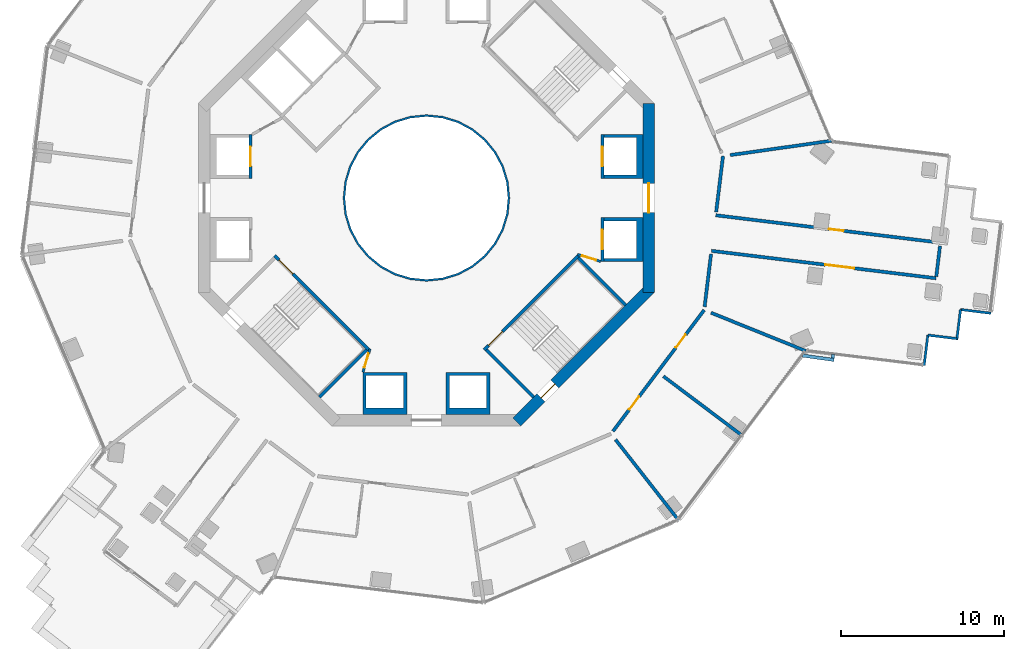
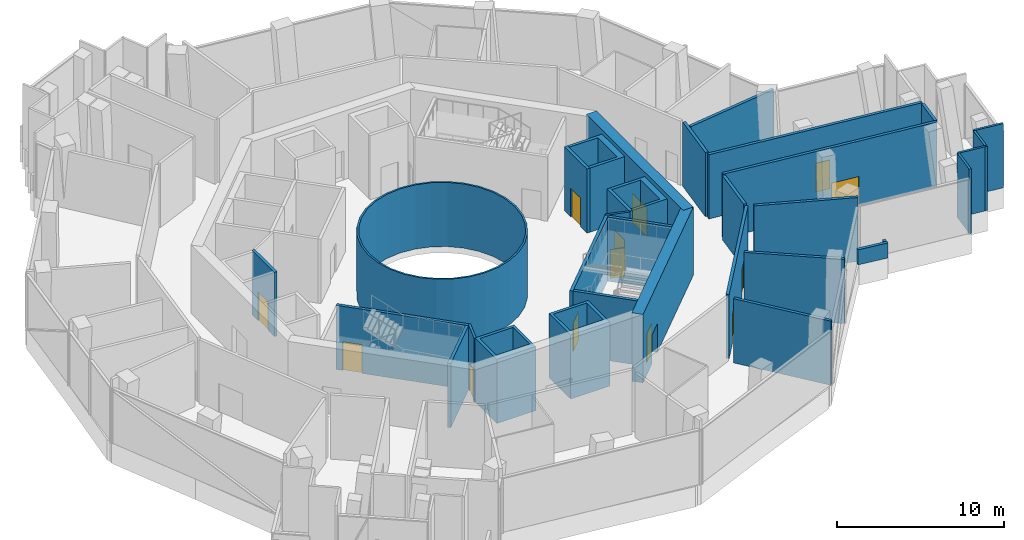
# One storey, part 9 of 17: 33 walls, 13 doors, 13 openings.
"""IFC4 building model written with IfcOpenShell, lengths in metres."""

from ifc_helpers import new_model, si_unit, direction, frame, frame_2d, origin, place, context, subcontext, project, spatial, polyline, rectangle, outline, extrude, material, layer, layer_set, type_object, element, fill, save


model = new_model("IFC4")

# Units and contexts
model_context = context("Model", 3, precision=1e-05, world=origin(), true_north=direction((0.0, 1.0)))
body_context = subcontext(model_context, "Body", "Model", "MODEL_VIEW")
ifc_project = project(units=[si_unit("LENGTHUNIT", "METRE"), si_unit("AREAUNIT", "SQUARE_METRE"), si_unit("VOLUMEUNIT", "CUBIC_METRE"), si_unit("PLANEANGLEUNIT", "RADIAN"), si_unit("MASSUNIT", "GRAM", prefix="KILO")], contexts=[model_context])

# Site, building, storey
site_placement = place(None, origin())
site = spatial("IfcSite", under=ifc_project, at=site_placement, CompositionType="ELEMENT")
building_placement = place(site_placement, origin())
building = spatial("IfcBuilding", under=site, at=building_placement, Name="Verdalira Terraces Hotel", CompositionType="ELEMENT")
storey_placement = place(building_placement, frame((0.0, 0.0, 128.0)))
storey = spatial("IfcBuildingStorey", under=building, at=storey_placement, Name="L30", CompositionType="ELEMENT", Elevation=128.0)

# Walls
ifc_material_1 = material(Name="Fire-resisting glass EI 180", Category="glass")
ifc_layer_1 = layer(ifc_material_1, 0.1201171875)
ifc_layer_set_1 = layer_set([ifc_layer_1], Name="Atrium fire screen 120 mm")
wall_type_1 = type_object("IfcWallType", Name="Atrium fire screen 120 mm", PredefinedType="SOLIDWALL", material=ifc_layer_set_1)
wall_1_placement = place(storey_placement, origin())
element("IfcWall", 1, at=wall_1_placement, inside=storey, type_object=wall_type_1, Name="Atrium fire screen", PredefinedType="SOLIDWALL", context=body_context, shape_type="SweptSolid", body=[
    extrude(outline(polyline([(5.021484, -0.998779), (4.730225, -1.959229), (4.25708, -2.844482), (3.620361, -3.620361), (2.844482, -4.25708), (1.959229, -4.730225), (0.998779, -5.021484), (0.0, -5.120117), (-0.998779, -5.021484), (-1.959229, -4.730225), (-2.844482, -4.25708), (-3.620361, -3.620361), (-4.25708, -2.844482), (-4.730225, -1.959229), (-5.021484, -0.998779), (-5.120117, 0.0), (-5.021484, 0.998779), (-4.730225, 1.959229), (-4.25708, 2.844482), (-3.620361, 3.620361), (-2.844482, 4.25708), (-1.959229, 4.730225), (-0.998779, 5.021484), (0.0, 5.120117), (0.998779, 5.021484), (1.959229, 4.730225), (2.844482, 4.25708), (3.620361, 3.620361), (4.25708, 2.844482), (4.730225, 1.959229), (5.021484, 0.998779), (5.120117, 0.0), (5.021484, -0.998779)]), holes=[polyline([(4.903809, 0.975586), (4.619385, 1.91333), (4.157227, 2.777832), (3.5354, 3.5354), (2.777832, 4.157227), (1.91333, 4.619385), (0.975586, 4.903809), (0.0, 5.0), (-0.975586, 4.903809), (-1.91333, 4.619385), (-2.777832, 4.157227), (-3.5354, 3.5354), (-4.157227, 2.777832), (-4.619385, 1.91333), (-4.903809, 0.975586), (-5.0, 0.0), (-4.903809, -0.975586), (-4.619385, -1.91333), (-4.157227, -2.777832), (-3.5354, -3.5354), (-2.777832, -4.157227), (-1.91333, -4.619385), (-0.975586, -4.903809), (0.0, -5.0), (0.975586, -4.903809), (1.91333, -4.619385), (2.777832, -4.157227), (3.5354, -3.5354), (4.157227, -2.777832), (4.619385, -1.91333), (4.903809, -0.975586), (5.0, 0.0), (4.903809, 0.975586)])]), origin(), (0.0, 0.0, 1.0), 4.689941),
])
ifc_material_2 = material(Name="Concrete C50", Category="concrete")
ifc_layer_2 = layer(ifc_material_2, 0.199951171875)
ifc_layer_set_2 = layer_set([ifc_layer_2], Name="Core RC wall 200 C50")
wall_type_2 = type_object("IfcWallType", Name="Core RC wall 200 C50", PredefinedType="SOLIDWALL", material=ifc_layer_set_2)
wall_2_placement = place(storey_placement, origin())
element("IfcWall", 2, at=wall_2_placement, inside=storey, type_object=wall_type_2, Name="L30 shaft wall E1", PredefinedType="SOLIDWALL", context=body_context, shape_type="SweptSolid", body=[
    extrude(outline(polyline([(13.300049, -3.899902), (10.899902, -3.899902), (10.899902, -3.699951), (12.899902, -3.699951), (12.899902, -1.399902), (10.899902, -1.399902), (10.899902, -1.199951), (13.300049, -1.199951), (13.300049, -3.899902)])), origin(), (0.0, 0.0, 1.0), 4.689941),
])

# Wall, opening, door
wall_3_placement = place(storey_placement, frame((10.800049, -1.199951, 0.0), z_axis=(0.0, 0.0, 1.0), x_axis=(0.0, -1.0, 0.0)))
wall_3 = element("IfcWall", 3, at=wall_3_placement, inside=storey, type_object=wall_type_2, Name="L30 shaft front wall E1", PredefinedType="SOLIDWALL", context=body_context, shape_type="SweptSolid", body=[
    extrude(rectangle(XDim=2.699951, YDim=0.199951, at=frame_2d((1.350098, 0.0))), origin(), (0.0, 0.0, 1.0), 4.689941),
])
opening_1_placement = place(wall_3_placement, frame((0.75, 0.0, 0.0)))
opening_1 = element("IfcOpeningElement", 4, at=opening_1_placement, cuts=wall_3, Name="Opening LD-L30-801", PredefinedType="OPENING", context=body_context, shape_type="SweptSolid", body=[
    extrude(rectangle(XDim=1.199951, YDim=2.100098, at=frame_2d((0.600098, 1.050049))), frame((0.0, 0.109863, 0.0), z_axis=(0.0, -1.0, 0.0), x_axis=(1.0, 0.0, 0.0)), (0.0, 0.0, 1.0), 0.219971),
])
ifc_material_3 = material(Name="Stainless steel", Category="steel")
door_type_1 = type_object("IfcDoorType", Name="Landing door 1200 x 2100", OperationType="NOTDEFINED", PredefinedType="DOOR", material=ifc_material_3)
door_1_placement = place(opening_1_placement, origin())
door_1 = element("IfcDoor", 5, at=door_1_placement, inside=storey, type_object=door_type_1, Name="Lift landing door LR1 L30", OperationType="DOUBLE_DOOR_SLIDING", OverallHeight=2.10009765625, OverallWidth=1.199951171875, PredefinedType="DOOR", context=body_context, shape_type="SweptSolid", body=[
    extrude(rectangle(XDim=1.199951, YDim=2.100098, at=frame_2d((0.600098, 1.050049))), frame((0.0, 0.024902, 0.0), z_axis=(0.0, -1.0, 0.0), x_axis=(1.0, 0.0, 0.0)), (0.0, 0.0, 1.0), 0.050049),
])
fill(opening_1, door_1)

# Wall
wall_4_placement = place(storey_placement, origin())
element("IfcWall", 6, at=wall_4_placement, inside=storey, type_object=wall_type_2, Name="L30 shaft wall E2", PredefinedType="SOLIDWALL", context=body_context, shape_type="SweptSolid", body=[
    extrude(outline(polyline([(13.300049, 3.899902), (13.300049, 1.199951), (10.899902, 1.199951), (10.899902, 1.399902), (12.899902, 1.399902), (12.899902, 3.699951), (10.899902, 3.699951), (10.899902, 3.899902), (13.300049, 3.899902)])), origin(), (0.0, 0.0, 1.0), 4.689941),
])

# Wall, opening, door
wall_5_placement = place(storey_placement, frame((10.800049, 1.199951, 0.0), z_axis=(0.0, 0.0, 1.0), x_axis=(0.0, 1.0, 0.0)))
wall_5 = element("IfcWall", 7, at=wall_5_placement, inside=storey, type_object=wall_type_2, Name="L30 shaft front wall E2", PredefinedType="SOLIDWALL", context=body_context, shape_type="SweptSolid", body=[
    extrude(rectangle(XDim=2.699951, YDim=0.199951, at=frame_2d((1.350098, 0.0))), origin(), (0.0, 0.0, 1.0), 4.689941),
])
opening_2_placement = place(wall_5_placement, frame((0.75, 0.0, 0.0)))
opening_2 = element("IfcOpeningElement", 8, at=opening_2_placement, cuts=wall_5, Name="Opening LD-L30-802", PredefinedType="OPENING", context=body_context, shape_type="SweptSolid", body=[
    extrude(rectangle(XDim=1.199951, YDim=2.100098, at=frame_2d((0.600098, 1.050049))), frame((0.0, 0.109863, 0.0), z_axis=(0.0, -1.0, 0.0), x_axis=(1.0, 0.0, 0.0)), (0.0, 0.0, 1.0), 0.219971),
])
door_2_placement = place(opening_2_placement, origin())
door_2 = element("IfcDoor", 9, at=door_2_placement, inside=storey, type_object=door_type_1, Name="Lift landing door LR2 L30", OperationType="DOUBLE_DOOR_SLIDING", OverallHeight=2.10009765625, OverallWidth=1.199951171875, PredefinedType="DOOR", context=body_context, shape_type="SweptSolid", body=[
    extrude(rectangle(XDim=1.199951, YDim=2.100098, at=frame_2d((0.600098, 1.050049))), frame((0.0, 0.024902, 0.0), z_axis=(0.0, -1.0, 0.0), x_axis=(1.0, 0.0, 0.0)), (0.0, 0.0, 1.0), 0.050049),
])
fill(opening_2, door_2)

wall_6_placement = place(storey_placement, frame((-10.800049, 1.199951, 0.0), z_axis=(0.0, 0.0, 1.0), x_axis=(0.0, 1.0, 0.0)))
wall_6 = element("IfcWall", 10, at=wall_6_placement, inside=storey, type_object=wall_type_2, Name="L30 shaft front wall W1", PredefinedType="SOLIDWALL", context=body_context, shape_type="SweptSolid", body=[
    extrude(rectangle(XDim=2.699951, YDim=0.199951, at=frame_2d((1.350098, 0.0))), origin(), (0.0, 0.0, 1.0), 4.689941),
])
opening_3_placement = place(wall_6_placement, frame((0.75, 0.0, 0.0)))
opening_3 = element("IfcOpeningElement", 11, at=opening_3_placement, cuts=wall_6, Name="Opening LD-L30-805", PredefinedType="OPENING", context=body_context, shape_type="SweptSolid", body=[
    extrude(rectangle(XDim=1.199951, YDim=2.100098, at=frame_2d((0.600098, 1.050049))), frame((0.0, 0.109863, 0.0), z_axis=(0.0, -1.0, 0.0), x_axis=(1.0, 0.0, 0.0)), (0.0, 0.0, 1.0), 0.219971),
])
door_3_placement = place(opening_3_placement, origin())
door_3 = element("IfcDoor", 12, at=door_3_placement, inside=storey, type_object=door_type_1, Name="Lift landing door LR5 L30", OperationType="DOUBLE_DOOR_SLIDING", OverallHeight=2.10009765625, OverallWidth=1.199951171875, PredefinedType="DOOR", context=body_context, shape_type="SweptSolid", body=[
    extrude(rectangle(XDim=1.199951, YDim=2.100098, at=frame_2d((0.600098, 1.050049))), frame((0.0, 0.024902, 0.0), z_axis=(0.0, -1.0, 0.0), x_axis=(1.0, 0.0, 0.0)), (0.0, 0.0, 1.0), 0.050049),
])
fill(opening_3, door_3)

# Walls
wall_7_placement = place(storey_placement, origin())
element("IfcWall", 13, at=wall_7_placement, inside=storey, type_object=wall_type_2, Name="L30 shaft wall S1", PredefinedType="SOLIDWALL", context=body_context, shape_type="SweptSolid", body=[
    extrude(outline(polyline([(-1.199951, -13.300049), (-3.899902, -13.300049), (-3.899902, -10.699951), (-1.199951, -10.699951), (-1.199951, -13.300049)]), holes=[polyline([(-3.699951, -10.899902), (-3.699951, -12.899902), (-1.399902, -12.899902), (-1.399902, -10.899902), (-3.699951, -10.899902)])]), origin(), (0.0, 0.0, 1.0), 4.689941),
])
wall_8_placement = place(storey_placement, origin())
element("IfcWall", 14, at=wall_8_placement, inside=storey, type_object=wall_type_2, Name="L30 shaft wall S2", PredefinedType="SOLIDWALL", context=body_context, shape_type="SweptSolid", body=[
    extrude(outline(polyline([(3.899902, -10.699951), (3.899902, -13.300049), (1.199951, -13.300049), (1.199951, -10.699951), (3.899902, -10.699951)]), holes=[polyline([(1.399902, -12.899902), (3.699951, -12.899902), (3.699951, -10.899902), (1.399902, -10.899902), (1.399902, -12.899902)])]), origin(), (0.0, 0.0, 1.0), 4.689941),
])

# Wall, opening, door
wall_9_placement = place(storey_placement, frame((-3.5354, -9.33374, 0.0), z_axis=(0.0, 0.0, 1.0), x_axis=(-0.707106781, 0.707106781, 0.0)))
wall_9 = element("IfcWall", 15, at=wall_9_placement, inside=storey, type_object=wall_type_2, Name="L30 stair ST2 front wall", PredefinedType="SOLIDWALL", context=body_context, shape_type="SweptSolid", body=[
    extrude(rectangle(XDim=8.200195, YDim=0.199951, at=frame_2d((4.100098, 0.0))), origin(), (0.0, 0.0, 1.0), 4.689941),
])
opening_4_placement = place(wall_9_placement, frame((6.600098, 0.0, 0.0)))
opening_4 = element("IfcOpeningElement", 16, at=opening_4_placement, cuts=wall_9, Name="Opening L30-810", PredefinedType="OPENING", context=body_context, shape_type="SweptSolid", body=[
    extrude(rectangle(XDim=1.199951, YDim=2.100098, at=frame_2d((0.600098, 1.050049))), frame((0.0, 0.109863, 0.0), z_axis=(0.0, -1.0, 0.0), x_axis=(1.0, 0.0, 0.0)), (0.0, 0.0, 1.0), 0.219971),
])
ifc_material_4 = material(Name="Steel fire door", Category="steel")
door_type_2 = type_object("IfcDoorType", Name="Stair door 1200 x 2100", OperationType="NOTDEFINED", PredefinedType="DOOR", material=ifc_material_4)
door_4_placement = place(opening_4_placement, origin())
door_4 = element("IfcDoor", 17, at=door_4_placement, inside=storey, type_object=door_type_2, Name="Stair door ST2 L30", OperationType="SINGLE_SWING_RIGHT", OverallHeight=2.10009765625, OverallWidth=1.199951171875, PredefinedType="DOOR", context=body_context, shape_type="SweptSolid", body=[
    extrude(rectangle(XDim=1.199951, YDim=2.100098, at=frame_2d((0.600098, 1.050049))), frame((0.0, 0.024902, 0.0), z_axis=(0.0, -1.0, 0.0), x_axis=(1.0, 0.0, 0.0)), (0.0, 0.0, 1.0), 0.050049),
])
fill(opening_4, door_4)

# Wall
wall_10_placement = place(storey_placement, frame((-3.677002, -9.33374, 0.0), z_axis=(0.0, 0.0, 1.0), x_axis=(-0.707106781, -0.707106781, 0.0)))
element("IfcWall", 18, at=wall_10_placement, inside=storey, type_object=wall_type_2, Name="L30 stair ST2 end wall 2", PredefinedType="SOLIDWALL", context=body_context, shape_type="SweptSolid", body=[
    extrude(rectangle(XDim=4.100098, YDim=0.199951, at=frame_2d((2.050049, 0.0))), origin(), (0.0, 0.0, 1.0), 4.689941),
])

# Wall, opening, door
wall_11_placement = place(storey_placement, frame((9.33374, -3.5354, 0.0), z_axis=(0.0, 0.0, 1.0), x_axis=(-0.707106781, -0.707106781, 0.0)))
wall_11 = element("IfcWall", 19, at=wall_11_placement, inside=storey, type_object=wall_type_2, Name="L30 stair ST3 front wall", PredefinedType="SOLIDWALL", context=body_context, shape_type="SweptSolid", body=[
    extrude(rectangle(XDim=8.200195, YDim=0.199951, at=frame_2d((4.100098, 0.0))), origin(), (0.0, 0.0, 1.0), 4.689941),
])
opening_5_placement = place(wall_11_placement, frame((6.600098, 0.0, 0.0)))
opening_5 = element("IfcOpeningElement", 20, at=opening_5_placement, cuts=wall_11, Name="Opening L30-811", PredefinedType="OPENING", context=body_context, shape_type="SweptSolid", body=[
    extrude(rectangle(XDim=1.199951, YDim=2.100098, at=frame_2d((0.600098, 1.050049))), frame((0.0, 0.109863, 0.0), z_axis=(0.0, -1.0, 0.0), x_axis=(1.0, 0.0, 0.0)), (0.0, 0.0, 1.0), 0.219971),
])
door_5_placement = place(opening_5_placement, origin())
door_5 = element("IfcDoor", 21, at=door_5_placement, inside=storey, type_object=door_type_2, Name="Stair door ST3 L30", OperationType="SINGLE_SWING_RIGHT", OverallHeight=2.10009765625, OverallWidth=1.199951171875, PredefinedType="DOOR", context=body_context, shape_type="SweptSolid", body=[
    extrude(rectangle(XDim=1.199951, YDim=2.100098, at=frame_2d((0.600098, 1.050049))), frame((0.0, 0.024902, 0.0), z_axis=(0.0, -1.0, 0.0), x_axis=(1.0, 0.0, 0.0)), (0.0, 0.0, 1.0), 0.050049),
])
fill(opening_5, door_5)

# Walls
for number, where, z_axis, x_axis, name in (
    (22, (3.677002, -9.33374, 0.0), (0.0, 0.0, 1.0), (0.707106781, -0.707106781, 0.0), "L30 stair ST3 end wall 1"),
    (23, (9.33374, -3.677002, 0.0), (0.0, 0.0, 1.0), (0.707106781, -0.707106781, 0.0), "L30 stair ST3 end wall 2"),
):
    element("IfcWall", number, at=place(storey_placement, frame(where, z_axis=z_axis, x_axis=x_axis)), inside=storey, type_object=wall_type_2, Name=name, PredefinedType="SOLIDWALL", context=body_context, shape_type="SweptSolid", body=[
        extrude(rectangle(XDim=4.100098, YDim=0.199951, at=frame_2d((2.050049, 0.0))), origin(), (0.0, 0.0, 1.0), 4.689941),
    ])

# Wall, opening, door
ifc_material_5 = material(Name="Gypsum board partition")
ifc_layer_3 = layer(ifc_material_5, 0.14990234375)
ifc_layer_set_3 = layer_set([ifc_layer_3], Name="Core partition 150 mm")
wall_type_3 = type_object("IfcWallType", Name="Core partition 150 mm", PredefinedType="PARTITIONING", material=ifc_layer_set_3)
wall_12_placement = place(storey_placement, frame((-3.464844, -9.263184, 0.0), z_axis=(0.0, 0.0, 1.0), x_axis=(-0.289808785, -0.957084567, 0.0)))
wall_12 = element("IfcWall", 24, at=wall_12_placement, inside=storey, type_object=wall_type_3, Name="Room partition L30", PredefinedType="PARTITIONING", context=body_context, shape_type="SweptSolid", body=[
    extrude(rectangle(XDim=1.501221, YDim=0.149902, at=frame_2d((0.750488, 0.0))), origin(), (0.0, 0.0, 1.0), 4.689941),
])
opening_6_placement = place(wall_12_placement, frame((0.300781, 0.0, 0.0)))
opening_6 = element("IfcOpeningElement", 25, at=opening_6_placement, cuts=wall_12, Name="Opening L30-823", PredefinedType="OPENING", context=body_context, shape_type="SweptSolid", body=[
    extrude(rectangle(XDim=0.899902, YDim=2.100098, at=frame_2d((0.449951, 1.050049))), frame((0.0, 0.084961, 0.0), z_axis=(0.0, -1.0, 0.0), x_axis=(1.0, 0.0, 0.0)), (0.0, 0.0, 1.0), 0.169922),
])
ifc_material_6 = material(Name="Steel fire door", Category="steel")
door_type_3 = type_object("IfcDoorType", Name="Core room door 900 x 2100", OperationType="NOTDEFINED", PredefinedType="DOOR", material=ifc_material_6)
door_6_placement = place(opening_6_placement, origin())
door_6 = element("IfcDoor", 26, at=door_6_placement, inside=storey, type_object=door_type_3, Name="Door L30 room5", OperationType="SINGLE_SWING_LEFT", OverallHeight=2.10009765625, OverallWidth=0.89990234375, PredefinedType="DOOR", context=body_context, shape_type="SweptSolid", body=[
    extrude(rectangle(XDim=0.899902, YDim=2.100098, at=frame_2d((0.449951, 1.050049))), frame((0.0, 0.024902, 0.0), z_axis=(0.0, -1.0, 0.0), x_axis=(1.0, 0.0, 0.0)), (0.0, 0.0, 1.0), 0.050049),
])
fill(opening_6, door_6)

wall_13_placement = place(storey_placement, frame((9.263184, -3.464844, 0.0), z_axis=(0.0, 0.0, 1.0), x_axis=(0.957084567, -0.289808785, 0.0)))
wall_13 = element("IfcWall", 27, at=wall_13_placement, inside=storey, type_object=wall_type_3, Name="Room partition L30", PredefinedType="PARTITIONING", context=body_context, shape_type="SweptSolid", body=[
    extrude(rectangle(XDim=1.501221, YDim=0.149902, at=frame_2d((0.750488, 0.0))), origin(), (0.0, 0.0, 1.0), 4.689941),
])
opening_7_placement = place(wall_13_placement, frame((0.300781, 0.0, 0.0)))
opening_7 = element("IfcOpeningElement", 28, at=opening_7_placement, cuts=wall_13, Name="Opening L30-824", PredefinedType="OPENING", context=body_context, shape_type="SweptSolid", body=[
    extrude(rectangle(XDim=0.899902, YDim=2.100098, at=frame_2d((0.449951, 1.050049))), frame((0.0, 0.084961, 0.0), z_axis=(0.0, -1.0, 0.0), x_axis=(1.0, 0.0, 0.0)), (0.0, 0.0, 1.0), 0.169922),
])
door_7_placement = place(opening_7_placement, origin())
door_7 = element("IfcDoor", 29, at=door_7_placement, inside=storey, type_object=door_type_3, Name="Door L30 room7", OperationType="SINGLE_SWING_LEFT", OverallHeight=2.10009765625, OverallWidth=0.89990234375, PredefinedType="DOOR", context=body_context, shape_type="SweptSolid", body=[
    extrude(rectangle(XDim=0.899902, YDim=2.100098, at=frame_2d((0.449951, 1.050049))), frame((0.0, 0.024902, 0.0), z_axis=(0.0, -1.0, 0.0), x_axis=(1.0, 0.0, 0.0)), (0.0, 0.0, 1.0), 0.050049),
])
fill(opening_7, door_7)

ifc_material_7 = material(Name="Concrete C60", Category="concrete")
ifc_layer_4 = layer(ifc_material_7, 0.699951171875)
ifc_layer_set_4 = layer_set([ifc_layer_4], Name="Core wall 700 C60")
wall_type_4 = type_object("IfcWallType", Name="Core wall 700 C60", PredefinedType="SHEAR", material=ifc_layer_set_4)
wall_14_placement = place(storey_placement, frame((13.649902, -5.799072, 0.0), z_axis=(0.0, 0.0, 1.0), x_axis=(0.0, 1.0, 0.0)))
wall_14 = element("IfcWall", 30, at=wall_14_placement, inside=storey, type_object=wall_type_4, Name="Core wall CW-L30-1", PredefinedType="SHEAR", context=body_context, shape_type="SweptSolid", body=[
    extrude(rectangle(XDim=11.598145, YDim=0.699951, at=frame_2d((5.799072, 0.0))), origin(), (0.0, 0.0, 1.0), 5.0),
])
opening_8_placement = place(wall_14_placement, frame((4.898926, 0.0, 0.0)))
opening_8 = element("IfcOpeningElement", 31, at=opening_8_placement, cuts=wall_14, Name="Opening L30-812", PredefinedType="OPENING", context=body_context, shape_type="SweptSolid", body=[
    extrude(rectangle(XDim=1.800049, YDim=2.100098, at=frame_2d((0.899902, 1.050049))), frame((0.0, 0.359863, 0.0), z_axis=(0.0, -1.0, 0.0), x_axis=(1.0, 0.0, 0.0)), (0.0, 0.0, 1.0), 0.719971),
])
ifc_material_8 = material(Name="Steel fire door", Category="steel")
door_type_4 = type_object("IfcDoorType", Name="Core entry door pair 1800 x 2100", OperationType="NOTDEFINED", PredefinedType="DOOR", material=ifc_material_8)
door_8_placement = place(opening_8_placement, origin())
door_8 = element("IfcDoor", 32, at=door_8_placement, inside=storey, type_object=door_type_4, Name="Core entry door L30 0", OperationType="DOUBLE_DOOR_SINGLE_SWING", OverallHeight=2.10009765625, OverallWidth=1.800048828125, PredefinedType="DOOR", context=body_context, shape_type="SweptSolid", body=[
    extrude(rectangle(XDim=1.800049, YDim=2.100098, at=frame_2d((0.899902, 1.050049))), frame((0.0, 0.024902, 0.0), z_axis=(0.0, -1.0, 0.0), x_axis=(1.0, 0.0, 0.0)), (0.0, 0.0, 1.0), 0.050049),
])
fill(opening_8, door_8)

wall_15_placement = place(storey_placement, frame((5.551514, -13.752441, 0.0), z_axis=(0.0, 0.0, 1.0), x_axis=(0.707106781, 0.707106781, 0.0)))
wall_15 = element("IfcWall", 33, at=wall_15_placement, inside=storey, type_object=wall_type_4, Name="Core wall CW-L30-8", PredefinedType="SHEAR", context=body_context, shape_type="SweptSolid", body=[
    extrude(rectangle(XDim=11.5979, YDim=0.699951, at=frame_2d((5.798828, 0.0))), origin(), (0.0, 0.0, 1.0), 5.0),
])
opening_9_placement = place(wall_15_placement, frame((2.099121, 0.0, 0.0)))
opening_9 = element("IfcOpeningElement", 34, at=opening_9_placement, cuts=wall_15, Name="Opening L30-818", PredefinedType="OPENING", context=body_context, shape_type="SweptSolid", body=[
    extrude(rectangle(XDim=1.199951, YDim=2.100098, at=frame_2d((0.600098, 1.050049))), frame((0.0, 0.359863, 0.0), z_axis=(0.0, -1.0, 0.0), x_axis=(1.0, 0.0, 0.0)), (0.0, 0.0, 1.0), 0.719971),
])
door_9_placement = place(opening_9_placement, origin())
door_9 = element("IfcDoor", 35, at=door_9_placement, inside=storey, type_object=door_type_2, Name="Stair exit door ST3 L30", OperationType="SINGLE_SWING_LEFT", OverallHeight=2.10009765625, OverallWidth=1.199951171875, PredefinedType="DOOR", context=body_context, shape_type="SweptSolid", body=[
    extrude(rectangle(XDim=1.199951, YDim=2.100098, at=frame_2d((0.600098, 1.050049))), frame((0.0, 0.024902, 0.0), z_axis=(0.0, -1.0, 0.0), x_axis=(1.0, 0.0, 0.0)), (0.0, 0.0, 1.0), 0.050049),
])
fill(opening_9, door_9)

# Walls
ifc_material_9 = material(Name="Fire-rated gypsum board wall")
ifc_layer_5 = layer(ifc_material_9, 0.199951171875)
ifc_layer_set_5 = layer_set([ifc_layer_5], Name="Demising wall 200 mm")
wall_type_5 = type_object("IfcWallType", Name="Demising wall 200 mm", PredefinedType="SOLIDWALL", material=ifc_layer_set_5)
wall_16_placement = place(storey_placement, frame((15.475586, -19.779297, 0.0), z_axis=(0.0, 0.0, 1.0), x_axis=(-0.61622233, 0.787572245, 0.0)))
element("IfcWall", 36, at=wall_16_placement, inside=storey, type_object=wall_type_5, Name="Demising wall", PredefinedType="SOLIDWALL", context=body_context, shape_type="SweptSolid", body=[
    extrude(rectangle(XDim=6.281982, YDim=0.199951, at=frame_2d((3.141113, 0.0))), origin(), (0.0, 0.0, 1.0), 4.689941),
])
wall_17_placement = place(storey_placement, frame((14.547363, -10.946289, 0.0), z_axis=(0.0, 0.0, 1.0), x_axis=(0.799059994, -0.601251301, 0.0)))
element("IfcWall", 37, at=wall_17_placement, inside=storey, type_object=wall_type_5, Name="Demising wall", PredefinedType="SOLIDWALL", context=body_context, shape_type="SweptSolid", body=[
    extrude(rectangle(XDim=6.052734, YDim=0.199951, at=frame_2d((3.026367, 0.0))), origin(), (0.0, 0.0, 1.0), 4.689941),
])
wall_18_placement = place(storey_placement, frame((17.46582, -7.04248, 0.0), z_axis=(0.0, 0.0, 1.0), x_axis=(0.927449299, -0.373948925, 0.0)))
element("IfcWall", 38, at=wall_18_placement, inside=storey, type_object=wall_type_5, Name="Demising wall", PredefinedType="SOLIDWALL", context=body_context, shape_type="SweptSolid", body=[
    extrude(rectangle(XDim=6.281982, YDim=0.199951, at=frame_2d((3.141113, 0.0))), origin(), (0.0, 0.0, 1.0), 4.689941),
])

# Wall, openings, doors
ifc_material_10 = material(Name="Fire-rated gypsum board wall")
ifc_layer_6 = layer(ifc_material_10, 0.199951171875)
ifc_layer_set_6 = layer_set([ifc_layer_6], Name="Guest corridor wall 200 mm")
wall_type_6 = type_object("IfcWallType", Name="Guest corridor wall 200 mm", PredefinedType="SOLIDWALL", material=ifc_layer_set_6)
wall_19_placement = place(storey_placement, frame((17.050781, -6.875244, 0.0), z_axis=(0.0, 0.0, 1.0), x_axis=(-0.601257118, -0.799055616, 0.0)))
wall_19 = element("IfcWall", 39, at=wall_19_placement, inside=storey, type_object=wall_type_6, Name="Guest corridor wall", PredefinedType="SOLIDWALL", context=body_context, shape_type="SweptSolid", body=[
    extrude(rectangle(XDim=9.316406, YDim=0.199951, at=frame_2d((4.658203, 0.0))), origin(), (0.0, 0.0, 1.0), 4.689941),
])
opening_10_placement = place(wall_19_placement, frame((6.658203, 0.0, 0.0)))
opening_10 = element("IfcOpeningElement", 40, at=opening_10_placement, cuts=wall_19, Name="Opening L30-112", PredefinedType="OPENING", context=body_context, shape_type="SweptSolid", body=[
    extrude(rectangle(XDim=1.0, YDim=2.100098, at=frame_2d((0.5, 1.050049))), frame((0.0, 0.109863, 0.0), z_axis=(0.0, -1.0, 0.0), x_axis=(1.0, 0.0, 0.0)), (0.0, 0.0, 1.0), 0.219971),
])
opening_11_placement = place(wall_19_placement, frame((1.899902, 0.0, 0.0)))
opening_11 = element("IfcOpeningElement", 41, at=opening_11_placement, cuts=wall_19, Name="Opening L30-113", PredefinedType="OPENING", context=body_context, shape_type="SweptSolid", body=[
    extrude(rectangle(XDim=1.0, YDim=2.100098, at=frame_2d((0.5, 1.050049))), frame((0.0, 0.109863, 0.0), z_axis=(0.0, -1.0, 0.0), x_axis=(1.0, 0.0, 0.0)), (0.0, 0.0, 1.0), 0.219971),
])
ifc_material_11 = material(Name="Timber fire door", Category="wood")
door_type_5 = type_object("IfcDoorType", Name="Public room door 1000 x 2100", OperationType="NOTDEFINED", PredefinedType="DOOR", material=ifc_material_11)
door_10_placement = place(opening_10_placement, origin())
door_10 = element("IfcDoor", 42, at=door_10_placement, inside=storey, type_object=door_type_5, Name="Public room door 3010", OperationType="SINGLE_SWING_LEFT", OverallHeight=2.10009765625, OverallWidth=1.0, PredefinedType="DOOR", context=body_context, shape_type="SweptSolid", body=[
    extrude(rectangle(XDim=1.0, YDim=2.100098, at=frame_2d((0.5, 1.050049))), frame((0.0, 0.024902, 0.0), z_axis=(0.0, -1.0, 0.0), x_axis=(1.0, 0.0, 0.0)), (0.0, 0.0, 1.0), 0.050049),
])
fill(opening_10, door_10)
door_11_placement = place(opening_11_placement, origin())
door_11 = element("IfcDoor", 43, at=door_11_placement, inside=storey, type_object=door_type_5, Name="Public room door 3011", OperationType="SINGLE_SWING_LEFT", OverallHeight=2.10009765625, OverallWidth=1.0, PredefinedType="DOOR", context=body_context, shape_type="SweptSolid", body=[
    extrude(rectangle(XDim=1.0, YDim=2.100098, at=frame_2d((0.5, 1.050049))), frame((0.0, 0.024902, 0.0), z_axis=(0.0, -1.0, 0.0), x_axis=(1.0, 0.0, 0.0)), (0.0, 0.0, 1.0), 0.050049),
])
fill(opening_11, door_11)

# Walls
wall_20_placement = place(storey_placement, frame((17.075195, -6.676514, 0.0), z_axis=(0.0, 0.0, 1.0), x_axis=(0.121166027, 0.992632255, 0.0)))
element("IfcWall", 44, at=wall_20_placement, inside=storey, type_object=wall_type_6, Name="Guest corridor wall", PredefinedType="SOLIDWALL", context=body_context, shape_type="SweptSolid", body=[
    extrude(rectangle(XDim=3.258057, YDim=0.199951, at=frame_2d((1.628906, 0.0))), origin(), (0.0, 0.0, 1.0), 4.689941),
])
wall_21_placement = place(storey_placement, frame((17.784912, -0.861328, 0.0), z_axis=(0.0, 0.0, 1.0), x_axis=(0.121218954, 0.992625793, 0.0)))
element("IfcWall", 45, at=wall_21_placement, inside=storey, type_object=wall_type_6, Name="Guest corridor wall", PredefinedType="SOLIDWALL", context=body_context, shape_type="SweptSolid", body=[
    extrude(rectangle(XDim=3.458008, YDim=0.199951, at=frame_2d((1.729004, 0.0))), origin(), (0.0, 0.0, 1.0), 4.689941),
])

# Wall, opening, door
wall_22_placement = place(storey_placement, frame((31.281494, -4.927002, 0.0), z_axis=(0.0, 0.0, 1.0), x_axis=(-0.992630982, 0.121176456, 0.0)))
wall_22 = element("IfcWall", 46, at=wall_22_placement, inside=storey, type_object=wall_type_6, Name="Guest corridor wall", PredefinedType="SOLIDWALL", context=body_context, shape_type="SweptSolid", body=[
    extrude(rectangle(XDim=13.889648, YDim=0.199951, at=frame_2d((6.944824, 0.0))), origin(), (0.0, 0.0, 1.0), 4.689941),
])
opening_12_placement = place(wall_22_placement, frame((5.050049, 0.0, 0.0)))
opening_12 = element("IfcOpeningElement", 47, at=opening_12_placement, cuts=wall_22, Name="Opening L30-114", PredefinedType="OPENING", context=body_context, shape_type="SweptSolid", body=[
    extrude(rectangle(XDim=1.800049, YDim=2.100098, at=frame_2d((0.899902, 1.050049))), frame((0.0, 0.109863, 0.0), z_axis=(0.0, -1.0, 0.0), x_axis=(1.0, 0.0, 0.0)), (0.0, 0.0, 1.0), 0.219971),
])
ifc_material_12 = material(Name="Timber fire door", Category="wood")
door_type_6 = type_object("IfcDoorType", Name="Public room double door 1800 x 2100", OperationType="NOTDEFINED", PredefinedType="DOOR", material=ifc_material_12)
door_12_placement = place(opening_12_placement, origin())
door_12 = element("IfcDoor", 48, at=door_12_placement, inside=storey, type_object=door_type_6, Name="Public room double door 3012", OperationType="DOUBLE_DOOR_SINGLE_SWING", OverallHeight=2.10009765625, OverallWidth=1.800048828125, PredefinedType="DOOR", context=body_context, shape_type="SweptSolid", body=[
    extrude(rectangle(XDim=1.800049, YDim=2.100098, at=frame_2d((0.899902, 1.050049))), frame((0.0, 0.024902, 0.0), z_axis=(0.0, -1.0, 0.0), x_axis=(1.0, 0.0, 0.0)), (0.0, 0.0, 1.0), 0.050049),
])
fill(opening_12, door_12)

wall_23_placement = place(storey_placement, frame((17.760742, -1.060059, 0.0), z_axis=(0.0, 0.0, 1.0), x_axis=(0.992630933, -0.121176861, 0.0)))
wall_23 = element("IfcWall", 49, at=wall_23_placement, inside=storey, type_object=wall_type_6, Name="Guest corridor wall", PredefinedType="SOLIDWALL", context=body_context, shape_type="SweptSolid", body=[
    extrude(rectangle(XDim=13.891602, YDim=0.199951, at=frame_2d((6.945801, 0.0))), origin(), (0.0, 0.0, 1.0), 4.689941),
])
opening_13_placement = place(wall_23_placement, frame((7.0, 0.0, 0.0)))
opening_13 = element("IfcOpeningElement", 50, at=opening_13_placement, cuts=wall_23, Name="Opening L30-115", PredefinedType="OPENING", context=body_context, shape_type="SweptSolid", body=[
    extrude(rectangle(XDim=0.899902, YDim=2.100098, at=frame_2d((0.449951, 1.050049))), frame((0.0, 0.109863, 0.0), z_axis=(0.0, -1.0, 0.0), x_axis=(1.0, 0.0, 0.0)), (0.0, 0.0, 1.0), 0.219971),
])
ifc_material_13 = material(Name="Steel fire door", Category="steel")
door_type_7 = type_object("IfcDoorType", Name="Service room door 900 x 2100", OperationType="NOTDEFINED", PredefinedType="DOOR", material=ifc_material_13)
door_13_placement = place(opening_13_placement, origin())
door_13 = element("IfcDoor", 51, at=door_13_placement, inside=storey, type_object=door_type_7, Name="Service room door 3013", OperationType="SINGLE_SWING_LEFT", OverallHeight=2.10009765625, OverallWidth=0.89990234375, PredefinedType="DOOR", context=body_context, shape_type="SweptSolid", body=[
    extrude(rectangle(XDim=0.899902, YDim=2.100098, at=frame_2d((0.449951, 1.050049))), frame((0.0, 0.024902, 0.0), z_axis=(0.0, -1.0, 0.0), x_axis=(1.0, 0.0, 0.0)), (0.0, 0.0, 1.0), 0.050049),
])
fill(opening_13, door_13)

# Walls
wall_24_placement = place(storey_placement, frame((31.295898, -4.825928, 0.0), z_axis=(0.0, 0.0, 1.0), x_axis=(0.121171723, 0.99263156, 0.0)))
element("IfcWall", 52, at=wall_24_placement, inside=storey, type_object=wall_type_6, Name="Guest corridor wall", PredefinedType="SOLIDWALL", context=body_context, shape_type="SweptSolid", body=[
    extrude(rectangle(XDim=1.899902, YDim=0.199951, at=frame_2d((0.949951, 0.0))), origin(), (0.0, 0.0, 1.0), 4.689941),
])
ifc_material_14 = material(Name="Fire-rated gypsum board wall")
ifc_layer_7 = layer(ifc_material_14, 0.199951171875)
ifc_layer_set_7 = layer_set([ifc_layer_7], Name="Service room wall 200 mm to beam soffit")
wall_type_7 = type_object("IfcWallType", Name="Service room wall 200 mm to beam soffit", PredefinedType="SOLIDWALL", material=ifc_layer_set_7)
wall_25_placement = place(storey_placement, frame((18.646973, 2.633789, 0.0), z_axis=(0.0, 0.0, 1.0), x_axis=(0.990164419, 0.139908623, 0.0)))
element("IfcWall", 53, at=wall_25_placement, inside=storey, type_object=wall_type_7, Name="Service room wall", PredefinedType="SOLIDWALL", context=body_context, shape_type="SweptSolid", body=[
    extrude(rectangle(XDim=6.281982, YDim=0.199951, at=frame_2d((3.141113, 0.0))), origin(), (0.0, 0.0, 1.0), 4.189941),
])
ifc_material_15 = material(Name="Terracotta cladding", Category="masonry")
ifc_layer_8 = layer(ifc_material_15, 0.199951171875)
ifc_layer_set_8 = layer_set([ifc_layer_8], Name="Terracotta clad parapet 200")
wall_type_8 = type_object("IfcWallType", Name="Terracotta clad parapet 200", PredefinedType="PARAPET", material=ifc_layer_set_8)
wall_26_placement = place(storey_placement, frame((23.095947, -9.674561, 0.0), z_axis=(0.0, 0.0, 1.0), x_axis=(0.990450404, -0.137869491, 0.0)))
element("IfcWall", 54, at=wall_26_placement, inside=storey, type_object=wall_type_8, Name="Terracotta clad parapet", PredefinedType="PARAPET", context=body_context, shape_type="SweptSolid", body=[
    extrude(rectangle(XDim=1.944336, YDim=0.199951, at=frame_2d((0.972168, 0.0))), origin(), (0.0, 0.0, 1.0), 1.100098),
])
wall_27_placement = place(storey_placement, frame((24.936279, -9.829834, 0.0), z_axis=(0.0, 0.0, 1.0), x_axis=(0.13836215, 0.990381702, 0.0)))
element("IfcWall", 55, at=wall_27_placement, inside=storey, type_object=wall_type_8, Name="Terracotta clad parapet", PredefinedType="PARAPET", context=body_context, shape_type="SweptSolid", body=[
    extrude(rectangle(XDim=0.234619, YDim=0.199951, at=frame_2d((0.117188, 0.0))), origin(), (0.0, 0.0, 1.0), 1.100098),
])
ifc_material_16 = material(Name="Terracotta cladding", Category="masonry")
ifc_layer_9 = layer(ifc_material_16, 0.14990234375)
ifc_layer_set_9 = layer_set([ifc_layer_9], Name="Terracotta clad wall 150")
wall_type_9 = type_object("IfcWallType", Name="Terracotta clad wall 150", PredefinedType="SOLIDWALL", material=ifc_layer_set_9)
wall_28_placement = place(storey_placement, frame((30.554688, -10.27832, 0.0), z_axis=(0.0, 0.0, 1.0), x_axis=(0.121213954, 0.992626404, 0.0)))
element("IfcWall", 56, at=wall_28_placement, inside=storey, type_object=wall_type_9, Name="Terracotta cladding wall", PredefinedType="SOLIDWALL", context=body_context, shape_type="SweptSolid", body=[
    extrude(rectangle(XDim=1.875244, YDim=0.149902, at=frame_2d((0.9375, 0.0))), origin(), (0.0, 0.0, 1.0), 4.689941),
])
wall_29_placement = place(storey_placement, frame((30.781982, -8.416992, 0.0), z_axis=(0.0, 0.0, 1.0), x_axis=(0.992620413, -0.121263002, 0.0)))
element("IfcWall", 57, at=wall_29_placement, inside=storey, type_object=wall_type_9, Name="Terracotta cladding wall", PredefinedType="SOLIDWALL", context=body_context, shape_type="SweptSolid", body=[
    extrude(rectangle(XDim=1.799805, YDim=0.149902, at=frame_2d((0.899902, 0.0))), origin(), (0.0, 0.0, 1.0), 4.689941),
])
for number, where, z_axis, x_axis, name in (
    (58, (32.55957, -8.709717, 0.0), (0.0, 0.0, 1.0), (0.121085666, 0.992642061, 0.0), "Terracotta cladding wall"),
    (59, (32.786621, -6.848389, 0.0), (0.0, 0.0, 1.0), (0.992626404, -0.121213954, 0.0), "Terracotta cladding wall"),
):
    element("IfcWall", number, at=place(storey_placement, frame(where, z_axis=z_axis, x_axis=x_axis)), inside=storey, type_object=wall_type_9, Name=name, PredefinedType="SOLIDWALL", context=body_context, shape_type="SweptSolid", body=[
        extrude(rectangle(XDim=1.875244, YDim=0.149902, at=frame_2d((0.9375, 0.0))), origin(), (0.0, 0.0, 1.0), 4.689941),
    ])

save(model, "model.ifc")
